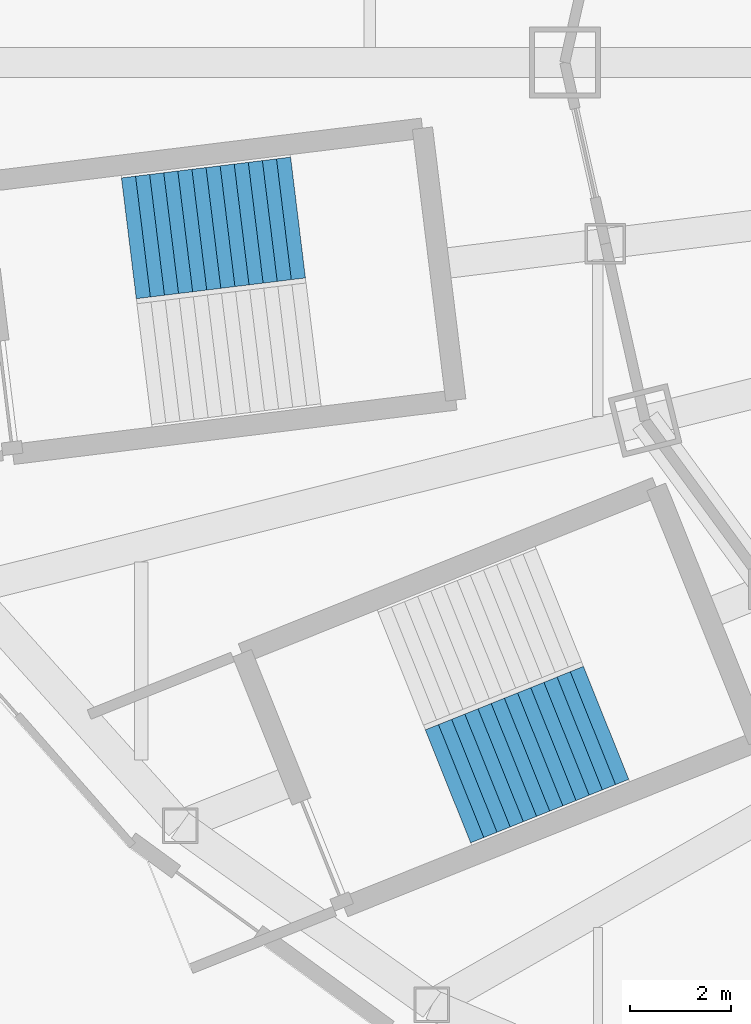
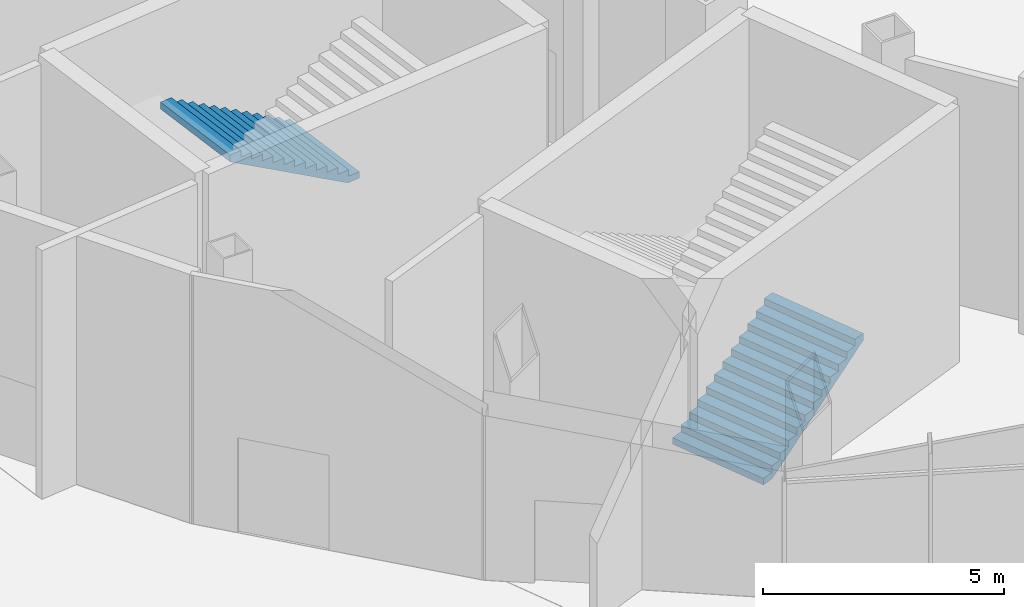
# One storey, part 24 of 47: 2 stair flights, 2 elements without a shape of their own.
"""IFC4 building model written with IfcOpenShell, lengths in metres."""

from ifc_helpers import new_model, si_unit, direction, frame, origin, place, context, subcontext, project, spatial, triangles, material, type_object, element, aggregate, save


model = new_model("IFC4")

# Units and contexts
model_context = context("Model", 3, precision=1e-05, world=origin(), true_north=direction((0.0, 1.0)))
body_context = subcontext(model_context, "Body", "Model", "MODEL_VIEW")
ifc_project = project(units=[si_unit("LENGTHUNIT", "METRE"), si_unit("AREAUNIT", "SQUARE_METRE"), si_unit("VOLUMEUNIT", "CUBIC_METRE"), si_unit("PLANEANGLEUNIT", "RADIAN"), si_unit("MASSUNIT", "GRAM", prefix="KILO")], contexts=[model_context])

# Site, building, storey
site_placement = place(None, origin())
site = spatial("IfcSite", under=ifc_project, at=site_placement, CompositionType="ELEMENT")
building_placement = place(site_placement, origin())
building = spatial("IfcBuilding", under=site, at=building_placement, Name="Lantaw Convention Tower", CompositionType="ELEMENT")
storey_placement = place(building_placement, origin())
storey = spatial("IfcBuildingStorey", under=building, at=storey_placement, Name="L00", CompositionType="ELEMENT", Elevation=0.0)

# Stair, stair flight
ifc_material = material(Name="Concrete C35/45", Category="concrete")
stair_type = type_object("IfcStairType", Name="Exit stair 2400 riser 166.67 in 3 flights", PredefinedType="HALF_TURN_STAIR", material=ifc_material)
stair_1_placement = place(storey_placement, origin())
stair_1 = element("IfcStair", 1, at=stair_1_placement, inside=storey, type_object=stair_type, Name="Podium exit stair P10 L00", PredefinedType="HALF_TURN_STAIR")
stair_flight_type = type_object("IfcStairFlightType", Name="Stair flight 2400 riser 166.67", PredefinedType="STRAIGHT", material=ifc_material)
stair_flight_1_placement = place(storey_placement, frame((-35.162109375, -3.057861328125, 2.166748046875), z_axis=(0.0, 0.0, 1.0), x_axis=(-0.992546151641, -0.121869343405, 0.0)))
stair_flight_1 = element("IfcStairFlight", 2, at=stair_flight_1_placement, type_object=stair_flight_type, Name="P10 flight 2", NumberOfRisers=13, NumberOfTreads=12, PredefinedType="STRAIGHT", RiserHeight=0.166666667, TreadLength=0.28, context=body_context, shape_type="Tessellation", body=[
    triangles([(0.0, 1.199951171875, 0.0), (0.0, 1.199951171875, 0.166666667), (0.28, 1.199951171875, 0.0), (0.28, 1.199951171875, 0.166666667), (0.28, 1.199951171875, 0.333333334), (0.29307345806906815, 1.199951171875, 0.0), (0.29307345806906815, 1.199951171875, 0.333333334), (0.56, 1.199951171875, 0.15888484670522912), (0.56, 1.199951171875, 0.333333334), (0.56, 1.199951171875, 0.500000001), (0.8400000000000001, 1.199951171875, 0.3255515137052291), (0.8400000000000001, 1.199951171875, 0.500000001), (0.8400000000000001, 1.199951171875, 0.666666668), (1.12, 1.199951171875, 0.49221818070522905), (1.12, 1.199951171875, 0.666666668), (1.12, 1.199951171875, 0.833333335), (1.4000000000000001, 1.199951171875, 0.658884847705229), (1.4000000000000001, 1.199951171875, 0.833333335), (1.4000000000000001, 1.199951171875, 1.000000002), (1.6800000000000002, 1.199951171875, 0.825551514705229), (1.6800000000000002, 1.199951171875, 1.000000002), (1.6800000000000002, 1.199951171875, 1.166666669), (1.9600000000000002, 1.199951171875, 0.992218181705229), (1.9600000000000002, 1.199951171875, 1.166666669), (1.9600000000000002, 1.199951171875, 1.333333336), (2.24, 1.199951171875, 1.158884848705229), (2.24, 1.199951171875, 1.333333336), (2.24, 1.199951171875, 1.5000000029999998), (2.5200000000000005, 1.199951171875, 1.325551515705229), (2.5200000000000005, 1.199951171875, 1.5000000029999998), (2.5200000000000005, 1.199951171875, 1.66666667), (2.8000000000000003, 1.199951171875, 1.492218182705229), (2.8000000000000003, 1.199951171875, 1.66666667), (2.8000000000000003, 1.199951171875, 1.833333337), (3.08, 1.199951171875, 1.6588848497052289), (3.08, 1.199951171875, 1.833333337), (3.08, 1.199951171875, 2.000000004), (3.3600000000000003, 1.199951171875, 1.825551516705229), (3.3600000000000003, 1.199951171875, 2.000000004), (0.0, -1.199951171875, 0.0), (0.0, -1.199951171875, 0.166666667), (0.28, -1.199951171875, 0.0), (0.28, -1.199951171875, 0.166666667), (0.28, -1.199951171875, 0.333333334), (0.29307345806906815, -1.199951171875, 0.0), (0.29307345806906815, -1.199951171875, 0.333333334), (0.56, -1.199951171875, 0.15888484670522912), (0.56, -1.199951171875, 0.333333334), (0.56, -1.199951171875, 0.500000001), (0.8400000000000001, -1.199951171875, 0.3255515137052291), (0.8400000000000001, -1.199951171875, 0.500000001), (0.8400000000000001, -1.199951171875, 0.666666668), (1.12, -1.199951171875, 0.49221818070522905), (1.12, -1.199951171875, 0.666666668), (1.12, -1.199951171875, 0.833333335), (1.4000000000000001, -1.199951171875, 0.658884847705229), (1.4000000000000001, -1.199951171875, 0.833333335), (1.4000000000000001, -1.199951171875, 1.000000002), (1.6800000000000002, -1.199951171875, 0.825551514705229), (1.6800000000000002, -1.199951171875, 1.000000002), (1.6800000000000002, -1.199951171875, 1.166666669), (1.9600000000000002, -1.199951171875, 0.992218181705229), (1.9600000000000002, -1.199951171875, 1.166666669), (1.9600000000000002, -1.199951171875, 1.333333336), (2.24, -1.199951171875, 1.158884848705229), (2.24, -1.199951171875, 1.333333336), (2.24, -1.199951171875, 1.5000000029999998), (2.5200000000000005, -1.199951171875, 1.325551515705229), (2.5200000000000005, -1.199951171875, 1.5000000029999998), (2.5200000000000005, -1.199951171875, 1.66666667), (2.8000000000000003, -1.199951171875, 1.492218182705229), (2.8000000000000003, -1.199951171875, 1.66666667), (2.8000000000000003, -1.199951171875, 1.833333337), (3.08, -1.199951171875, 1.6588848497052289), (3.08, -1.199951171875, 1.833333337), (3.08, -1.199951171875, 2.000000004), (3.3600000000000003, -1.199951171875, 1.825551516705229), (3.3600000000000003, -1.199951171875, 2.000000004), (0.0, 0.239990234375, 0.166666667), (0.0, 0.239990234375, 0.0), (0.0, 0.0, 0.166666667), (0.0, 0.0, 0.0), (0.0, -0.239990234375, 0.166666667), (0.0, -0.239990234375, 0.0), (0.28, 0.239990234375, 0.333333334), (0.28, 0.239990234375, 0.166666667), (0.28, 0.0, 0.333333334), (0.28, 0.0, 0.166666667), (0.28, -0.239990234375, 0.333333334), (0.28, -0.239990234375, 0.166666667), (0.56, 0.239990234375, 0.500000001), (0.56, 0.239990234375, 0.333333334), (0.56, 0.0, 0.500000001), (0.56, 0.0, 0.333333334), (0.56, -0.239990234375, 0.500000001), (0.56, -0.239990234375, 0.333333334), (0.8400000000000001, 0.239990234375, 0.666666668), (0.8400000000000001, 0.239990234375, 0.500000001), (0.8400000000000001, 0.0, 0.666666668), (0.8400000000000001, 0.0, 0.500000001), (0.8400000000000001, -0.239990234375, 0.666666668), (0.8400000000000001, -0.239990234375, 0.500000001), (1.12, 0.239990234375, 0.833333335), (1.12, 0.239990234375, 0.666666668), (1.12, 0.0, 0.833333335), (1.12, 0.0, 0.666666668), (1.12, -0.239990234375, 0.833333335), (1.12, -0.239990234375, 0.666666668), (1.4000000000000001, 0.239990234375, 1.000000002), (1.4000000000000001, 0.239990234375, 0.833333335), (1.4000000000000001, 0.0, 1.000000002), (1.4000000000000001, 0.0, 0.833333335), (1.4000000000000001, -0.239990234375, 1.000000002), (1.4000000000000001, -0.239990234375, 0.833333335), (1.6800000000000002, 0.239990234375, 1.166666669), (1.6800000000000002, 0.239990234375, 1.000000002), (1.6800000000000002, 0.0, 1.166666669), (1.6800000000000002, 0.0, 1.000000002), (1.6800000000000002, -0.239990234375, 1.166666669), (1.6800000000000002, -0.239990234375, 1.000000002), (1.9600000000000002, 0.239990234375, 1.333333336), (1.9600000000000002, 0.239990234375, 1.166666669), (1.9600000000000002, 0.0, 1.333333336), (1.9600000000000002, 0.0, 1.166666669), (1.9600000000000002, -0.239990234375, 1.333333336), (1.9600000000000002, -0.239990234375, 1.166666669), (2.24, 0.239990234375, 1.5000000029999998), (2.24, 0.239990234375, 1.333333336), (2.24, 0.0, 1.5000000029999998), (2.24, 0.0, 1.333333336), (2.24, -0.239990234375, 1.5000000029999998), (2.24, -0.239990234375, 1.333333336), (2.5200000000000005, 0.239990234375, 1.66666667), (2.5200000000000005, 0.239990234375, 1.5000000029999998), (2.5200000000000005, 0.0, 1.66666667), (2.5200000000000005, 0.0, 1.5000000029999998), (2.5200000000000005, -0.239990234375, 1.66666667), (2.5200000000000005, -0.239990234375, 1.5000000029999998), (2.8000000000000003, 0.239990234375, 1.833333337), (2.8000000000000003, 0.239990234375, 1.66666667), (2.8000000000000003, 0.0, 1.833333337), (2.8000000000000003, 0.0, 1.66666667), (2.8000000000000003, -0.239990234375, 1.833333337), (2.8000000000000003, -0.239990234375, 1.66666667), (3.08, 0.239990234375, 2.000000004), (3.08, 0.239990234375, 1.833333337), (3.08, 0.0, 2.000000004), (3.08, 0.0, 1.833333337), (3.08, -0.239990234375, 2.000000004), (3.08, -0.239990234375, 1.833333337), (0.29307345806906815, 0.239990234375, 0.333333334), (0.29307345806906815, 0.0, 0.333333334), (0.29307345806906815, -0.239990234375, 0.333333334), (3.3600000000000003, 0.239990234375, 2.000000004), (3.3600000000000003, 0.0, 2.000000004), (3.3600000000000003, -0.239990234375, 2.000000004), (3.3600000000000003, 0.239990234375, 1.8255515167052292), (3.3600000000000003, 0.0, 1.8255515167052292), (3.3600000000000003, -0.239990234375, 1.8255515167052292), (3.08, 0.239990234375, 1.6588848497052289), (3.08, 0.0, 1.6588848497052289), (3.08, -0.239990234375, 1.6588848497052289), (2.8000000000000003, 0.239990234375, 1.492218182705229), (2.8000000000000003, 0.0, 1.492218182705229), (2.8000000000000003, -0.239990234375, 1.492218182705229), (2.5200000000000005, 0.239990234375, 1.325551515705229), (2.5200000000000005, 0.0, 1.325551515705229), (2.5200000000000005, -0.239990234375, 1.325551515705229), (2.24, 0.239990234375, 1.158884848705229), (2.24, 0.0, 1.158884848705229), (2.24, -0.239990234375, 1.158884848705229), (1.9600000000000002, 0.239990234375, 0.992218181705229), (1.9600000000000002, 0.0, 0.992218181705229), (1.9600000000000002, -0.239990234375, 0.992218181705229), (1.6800000000000002, 0.239990234375, 0.825551514705229), (1.6800000000000002, 0.0, 0.825551514705229), (1.6800000000000002, -0.239990234375, 0.825551514705229), (1.4000000000000001, 0.239990234375, 0.658884847705229), (1.4000000000000001, 0.0, 0.658884847705229), (1.4000000000000001, -0.239990234375, 0.658884847705229), (1.12, 0.239990234375, 0.49221818070522905), (1.12, 0.0, 0.49221818070522905), (1.12, -0.239990234375, 0.49221818070522905), (0.8400000000000001, 0.239990234375, 0.3255515137052291), (0.8400000000000001, 0.0, 0.3255515137052291), (0.8400000000000001, -0.239990234375, 0.3255515137052291), (0.56, 0.239990234375, 0.15888484670522912), (0.56, 0.0, 0.15888484670522912), (0.56, -0.239990234375, 0.15888484670522912), (0.29307345806906815, 0.239990234375, 0.0), (0.29307345806906815, 0.0, 0.0), (0.29307345806906815, -0.239990234375, 0.0), (0.28, 0.239990234375, 0.0), (0.28, 0.0, 0.0), (0.28, -0.239990234375, 0.0)], [[1, 4, 3], [1, 2, 4], [3, 4, 6], [4, 7, 6], [4, 5, 7], [6, 9, 8], [6, 7, 9], [8, 9, 11], [9, 12, 11], [9, 10, 12], [11, 12, 14], [12, 15, 14], [12, 13, 15], [14, 15, 17], [15, 18, 17], [15, 16, 18], [17, 18, 20], [18, 21, 20], [18, 19, 21], [20, 21, 23], [21, 24, 23], [21, 22, 24], [23, 24, 26], [24, 27, 26], [24, 25, 27], [26, 27, 29], [27, 30, 29], [27, 28, 30], [29, 30, 32], [30, 33, 32], [30, 31, 33], [32, 33, 35], [33, 36, 35], [33, 34, 36], [35, 36, 38], [36, 39, 38], [36, 37, 39], [40, 42, 43], [40, 43, 41], [42, 45, 43], [43, 45, 46], [43, 46, 44], [45, 47, 48], [45, 48, 46], [47, 50, 48], [48, 50, 51], [48, 51, 49], [50, 53, 51], [51, 53, 54], [51, 54, 52], [53, 56, 54], [54, 56, 57], [54, 57, 55], [56, 59, 57], [57, 59, 60], [57, 60, 58], [59, 62, 60], [60, 62, 63], [60, 63, 61], [62, 65, 63], [63, 65, 66], [63, 66, 64], [65, 68, 66], [66, 68, 69], [66, 69, 67], [68, 71, 69], [69, 71, 72], [69, 72, 70], [71, 74, 72], [72, 74, 75], [72, 75, 73], [74, 77, 75], [75, 77, 78], [75, 78, 76], [1, 79, 2], [1, 80, 79], [80, 81, 79], [80, 82, 81], [82, 83, 81], [82, 84, 83], [84, 41, 83], [84, 40, 41], [4, 85, 5], [4, 86, 85], [86, 87, 85], [86, 88, 87], [88, 89, 87], [88, 90, 89], [90, 44, 89], [90, 43, 44], [9, 91, 10], [9, 92, 91], [92, 93, 91], [92, 94, 93], [94, 95, 93], [94, 96, 95], [96, 49, 95], [96, 48, 49], [12, 97, 13], [12, 98, 97], [98, 99, 97], [98, 100, 99], [100, 101, 99], [100, 102, 101], [102, 52, 101], [102, 51, 52], [15, 103, 16], [15, 104, 103], [104, 105, 103], [104, 106, 105], [106, 107, 105], [106, 108, 107], [108, 55, 107], [108, 54, 55], [18, 109, 19], [18, 110, 109], [110, 111, 109], [110, 112, 111], [112, 113, 111], [112, 114, 113], [114, 58, 113], [114, 57, 58], [21, 115, 22], [21, 116, 115], [116, 117, 115], [116, 118, 117], [118, 119, 117], [118, 120, 119], [120, 61, 119], [120, 60, 61], [24, 121, 25], [24, 122, 121], [122, 123, 121], [122, 124, 123], [124, 125, 123], [124, 126, 125], [126, 64, 125], [126, 63, 64], [27, 127, 28], [27, 128, 127], [128, 129, 127], [128, 130, 129], [130, 131, 129], [130, 132, 131], [132, 67, 131], [132, 66, 67], [30, 133, 31], [30, 134, 133], [134, 135, 133], [134, 136, 135], [136, 137, 135], [136, 138, 137], [138, 70, 137], [138, 69, 70], [33, 139, 34], [33, 140, 139], [140, 141, 139], [140, 142, 141], [142, 143, 141], [142, 144, 143], [144, 73, 143], [144, 72, 73], [36, 145, 37], [36, 146, 145], [146, 147, 145], [146, 148, 147], [148, 149, 147], [148, 150, 149], [150, 76, 149], [150, 75, 76], [2, 86, 4], [2, 79, 86], [79, 88, 86], [79, 81, 88], [81, 90, 88], [81, 83, 90], [83, 43, 90], [83, 41, 43], [5, 151, 7], [5, 85, 151], [85, 152, 151], [85, 87, 152], [87, 153, 152], [87, 89, 153], [89, 46, 153], [89, 44, 46], [7, 92, 9], [7, 151, 92], [151, 94, 92], [151, 152, 94], [152, 96, 94], [152, 153, 96], [153, 48, 96], [153, 46, 48], [10, 98, 12], [10, 91, 98], [91, 100, 98], [91, 93, 100], [93, 102, 100], [93, 95, 102], [95, 51, 102], [95, 49, 51], [13, 104, 15], [13, 97, 104], [97, 106, 104], [97, 99, 106], [99, 108, 106], [99, 101, 108], [101, 54, 108], [101, 52, 54], [16, 110, 18], [16, 103, 110], [103, 112, 110], [103, 105, 112], [105, 114, 112], [105, 107, 114], [107, 57, 114], [107, 55, 57], [19, 116, 21], [19, 109, 116], [109, 118, 116], [109, 111, 118], [111, 120, 118], [111, 113, 120], [113, 60, 120], [113, 58, 60], [22, 122, 24], [22, 115, 122], [115, 124, 122], [115, 117, 124], [117, 126, 124], [117, 119, 126], [119, 63, 126], [119, 61, 63], [25, 128, 27], [25, 121, 128], [121, 130, 128], [121, 123, 130], [123, 132, 130], [123, 125, 132], [125, 66, 132], [125, 64, 66], [28, 134, 30], [28, 127, 134], [127, 136, 134], [127, 129, 136], [129, 138, 136], [129, 131, 138], [131, 69, 138], [131, 67, 69], [31, 140, 33], [31, 133, 140], [133, 142, 140], [133, 135, 142], [135, 144, 142], [135, 137, 144], [137, 72, 144], [137, 70, 72], [34, 146, 36], [34, 139, 146], [139, 148, 146], [139, 141, 148], [141, 150, 148], [141, 143, 150], [143, 75, 150], [143, 73, 75], [37, 154, 39], [37, 145, 154], [145, 155, 154], [145, 147, 155], [147, 156, 155], [147, 149, 156], [149, 78, 156], [149, 76, 78], [39, 157, 38], [39, 154, 157], [154, 158, 157], [154, 155, 158], [155, 159, 158], [155, 156, 159], [156, 77, 159], [156, 78, 77], [38, 160, 35], [38, 157, 160], [157, 161, 160], [157, 158, 161], [158, 162, 161], [158, 159, 162], [159, 74, 162], [159, 77, 74], [35, 163, 32], [35, 160, 163], [160, 164, 163], [160, 161, 164], [161, 165, 164], [161, 162, 165], [162, 71, 165], [162, 74, 71], [32, 166, 29], [32, 163, 166], [163, 167, 166], [163, 164, 167], [164, 168, 167], [164, 165, 168], [165, 68, 168], [165, 71, 68], [29, 169, 26], [29, 166, 169], [166, 170, 169], [166, 167, 170], [167, 171, 170], [167, 168, 171], [168, 65, 171], [168, 68, 65], [26, 172, 23], [26, 169, 172], [169, 173, 172], [169, 170, 173], [170, 174, 173], [170, 171, 174], [171, 62, 174], [171, 65, 62], [23, 175, 20], [23, 172, 175], [172, 176, 175], [172, 173, 176], [173, 177, 176], [173, 174, 177], [174, 59, 177], [174, 62, 59], [20, 178, 17], [20, 175, 178], [175, 179, 178], [175, 176, 179], [176, 180, 179], [176, 177, 180], [177, 56, 180], [177, 59, 56], [17, 181, 14], [17, 178, 181], [178, 182, 181], [178, 179, 182], [179, 183, 182], [179, 180, 183], [180, 53, 183], [180, 56, 53], [14, 184, 11], [14, 181, 184], [181, 185, 184], [181, 182, 185], [182, 186, 185], [182, 183, 186], [183, 50, 186], [183, 53, 50], [11, 187, 8], [11, 184, 187], [184, 188, 187], [184, 185, 188], [185, 189, 188], [185, 186, 189], [186, 47, 189], [186, 50, 47], [8, 190, 6], [8, 187, 190], [187, 191, 190], [187, 188, 191], [188, 192, 191], [188, 189, 192], [189, 45, 192], [189, 47, 45], [6, 193, 3], [6, 190, 193], [190, 194, 193], [190, 191, 194], [191, 195, 194], [191, 192, 195], [192, 42, 195], [192, 45, 42], [3, 80, 1], [3, 193, 80], [193, 82, 80], [193, 194, 82], [194, 84, 82], [194, 195, 84], [195, 40, 84], [195, 42, 40]], closed=True),
])
aggregate(stair_1, [stair_flight_1])

stair_2_placement = place(storey_placement, origin())
stair_2 = element("IfcStair", 3, at=stair_2_placement, inside=storey, type_object=stair_type, Name="Podium exit stair P11 L00", PredefinedType="HALF_TURN_STAIR")
stair_flight_2_placement = place(storey_placement, frame((-32.20458984375, -14.275146484375, 0.0), z_axis=(0.0, 0.0, 1.0), x_axis=(0.928015168305, 0.372542410198, 0.0)))
stair_flight_2 = element("IfcStairFlight", 4, at=stair_flight_2_placement, type_object=stair_flight_type, Name="P11 flight 1", NumberOfRisers=13, NumberOfTreads=12, PredefinedType="STRAIGHT", RiserHeight=0.166666667, TreadLength=0.28, context=body_context, shape_type="Tessellation", body=[
    triangles([(0.0, 1.199951171875, 0.0), (0.0, 1.199951171875, 0.166666667), (0.28, 1.199951171875, 0.0), (0.28, 1.199951171875, 0.166666667), (0.28, 1.199951171875, 0.333333334), (0.29307345806906815, 1.199951171875, 0.0), (0.29307345806906815, 1.199951171875, 0.333333334), (0.56, 1.199951171875, 0.15888484670522912), (0.56, 1.199951171875, 0.333333334), (0.56, 1.199951171875, 0.500000001), (0.8400000000000001, 1.199951171875, 0.3255515137052291), (0.8400000000000001, 1.199951171875, 0.500000001), (0.8400000000000001, 1.199951171875, 0.666666668), (1.12, 1.199951171875, 0.49221818070522905), (1.12, 1.199951171875, 0.666666668), (1.12, 1.199951171875, 0.833333335), (1.4000000000000001, 1.199951171875, 0.658884847705229), (1.4000000000000001, 1.199951171875, 0.833333335), (1.4000000000000001, 1.199951171875, 1.000000002), (1.6800000000000002, 1.199951171875, 0.825551514705229), (1.6800000000000002, 1.199951171875, 1.000000002), (1.6800000000000002, 1.199951171875, 1.166666669), (1.9600000000000002, 1.199951171875, 0.992218181705229), (1.9600000000000002, 1.199951171875, 1.166666669), (1.9600000000000002, 1.199951171875, 1.333333336), (2.24, 1.199951171875, 1.158884848705229), (2.24, 1.199951171875, 1.333333336), (2.24, 1.199951171875, 1.5000000029999998), (2.5200000000000005, 1.199951171875, 1.325551515705229), (2.5200000000000005, 1.199951171875, 1.5000000029999998), (2.5200000000000005, 1.199951171875, 1.66666667), (2.8000000000000003, 1.199951171875, 1.492218182705229), (2.8000000000000003, 1.199951171875, 1.66666667), (2.8000000000000003, 1.199951171875, 1.833333337), (3.08, 1.199951171875, 1.6588848497052289), (3.08, 1.199951171875, 1.833333337), (3.08, 1.199951171875, 2.000000004), (3.3600000000000003, 1.199951171875, 1.825551516705229), (3.3600000000000003, 1.199951171875, 2.000000004), (0.0, -1.199951171875, 0.0), (0.0, -1.199951171875, 0.166666667), (0.28, -1.199951171875, 0.0), (0.28, -1.199951171875, 0.166666667), (0.28, -1.199951171875, 0.333333334), (0.29307345806906815, -1.199951171875, 0.0), (0.29307345806906815, -1.199951171875, 0.333333334), (0.56, -1.199951171875, 0.15888484670522912), (0.56, -1.199951171875, 0.333333334), (0.56, -1.199951171875, 0.500000001), (0.8400000000000001, -1.199951171875, 0.3255515137052291), (0.8400000000000001, -1.199951171875, 0.500000001), (0.8400000000000001, -1.199951171875, 0.666666668), (1.12, -1.199951171875, 0.49221818070522905), (1.12, -1.199951171875, 0.666666668), (1.12, -1.199951171875, 0.833333335), (1.4000000000000001, -1.199951171875, 0.658884847705229), (1.4000000000000001, -1.199951171875, 0.833333335), (1.4000000000000001, -1.199951171875, 1.000000002), (1.6800000000000002, -1.199951171875, 0.825551514705229), (1.6800000000000002, -1.199951171875, 1.000000002), (1.6800000000000002, -1.199951171875, 1.166666669), (1.9600000000000002, -1.199951171875, 0.992218181705229), (1.9600000000000002, -1.199951171875, 1.166666669), (1.9600000000000002, -1.199951171875, 1.333333336), (2.24, -1.199951171875, 1.158884848705229), (2.24, -1.199951171875, 1.333333336), (2.24, -1.199951171875, 1.5000000029999998), (2.5200000000000005, -1.199951171875, 1.325551515705229), (2.5200000000000005, -1.199951171875, 1.5000000029999998), (2.5200000000000005, -1.199951171875, 1.66666667), (2.8000000000000003, -1.199951171875, 1.492218182705229), (2.8000000000000003, -1.199951171875, 1.66666667), (2.8000000000000003, -1.199951171875, 1.833333337), (3.08, -1.199951171875, 1.6588848497052289), (3.08, -1.199951171875, 1.833333337), (3.08, -1.199951171875, 2.000000004), (3.3600000000000003, -1.199951171875, 1.825551516705229), (3.3600000000000003, -1.199951171875, 2.000000004), (0.0, 0.239990234375, 0.166666667), (0.0, 0.239990234375, 0.0), (0.0, 0.0, 0.166666667), (0.0, 0.0, 0.0), (0.0, -0.239990234375, 0.166666667), (0.0, -0.239990234375, 0.0), (0.28, 0.239990234375, 0.333333334), (0.28, 0.239990234375, 0.166666667), (0.28, 0.0, 0.333333334), (0.28, 0.0, 0.166666667), (0.28, -0.239990234375, 0.333333334), (0.28, -0.239990234375, 0.166666667), (0.56, 0.239990234375, 0.500000001), (0.56, 0.239990234375, 0.333333334), (0.56, 0.0, 0.500000001), (0.56, 0.0, 0.333333334), (0.56, -0.239990234375, 0.500000001), (0.56, -0.239990234375, 0.333333334), (0.8400000000000001, 0.239990234375, 0.666666668), (0.8400000000000001, 0.239990234375, 0.500000001), (0.8400000000000001, 0.0, 0.666666668), (0.8400000000000001, 0.0, 0.500000001), (0.8400000000000001, -0.239990234375, 0.666666668), (0.8400000000000001, -0.239990234375, 0.500000001), (1.12, 0.239990234375, 0.833333335), (1.12, 0.239990234375, 0.666666668), (1.12, 0.0, 0.833333335), (1.12, 0.0, 0.666666668), (1.12, -0.239990234375, 0.833333335), (1.12, -0.239990234375, 0.666666668), (1.4000000000000001, 0.239990234375, 1.000000002), (1.4000000000000001, 0.239990234375, 0.833333335), (1.4000000000000001, 0.0, 1.000000002), (1.4000000000000001, 0.0, 0.833333335), (1.4000000000000001, -0.239990234375, 1.000000002), (1.4000000000000001, -0.239990234375, 0.833333335), (1.6800000000000002, 0.239990234375, 1.166666669), (1.6800000000000002, 0.239990234375, 1.000000002), (1.6800000000000002, 0.0, 1.166666669), (1.6800000000000002, 0.0, 1.000000002), (1.6800000000000002, -0.239990234375, 1.166666669), (1.6800000000000002, -0.239990234375, 1.000000002), (1.9600000000000002, 0.239990234375, 1.333333336), (1.9600000000000002, 0.239990234375, 1.166666669), (1.9600000000000002, 0.0, 1.333333336), (1.9600000000000002, 0.0, 1.166666669), (1.9600000000000002, -0.239990234375, 1.333333336), (1.9600000000000002, -0.239990234375, 1.166666669), (2.24, 0.239990234375, 1.5000000029999998), (2.24, 0.239990234375, 1.333333336), (2.24, 0.0, 1.5000000029999998), (2.24, 0.0, 1.333333336), (2.24, -0.239990234375, 1.5000000029999998), (2.24, -0.239990234375, 1.333333336), (2.5200000000000005, 0.239990234375, 1.66666667), (2.5200000000000005, 0.239990234375, 1.5000000029999998), (2.5200000000000005, 0.0, 1.66666667), (2.5200000000000005, 0.0, 1.5000000029999998), (2.5200000000000005, -0.239990234375, 1.66666667), (2.5200000000000005, -0.239990234375, 1.5000000029999998), (2.8000000000000003, 0.239990234375, 1.833333337), (2.8000000000000003, 0.239990234375, 1.66666667), (2.8000000000000003, 0.0, 1.833333337), (2.8000000000000003, 0.0, 1.66666667), (2.8000000000000003, -0.239990234375, 1.833333337), (2.8000000000000003, -0.239990234375, 1.66666667), (3.08, 0.239990234375, 2.000000004), (3.08, 0.239990234375, 1.833333337), (3.08, 0.0, 2.000000004), (3.08, 0.0, 1.833333337), (3.08, -0.239990234375, 2.000000004), (3.08, -0.239990234375, 1.833333337), (0.29307345806906815, 0.239990234375, 0.333333334), (0.29307345806906815, 0.0, 0.333333334), (0.29307345806906815, -0.239990234375, 0.333333334), (3.3600000000000003, 0.239990234375, 2.000000004), (3.3600000000000003, 0.0, 2.000000004), (3.3600000000000003, -0.239990234375, 2.000000004), (3.3600000000000003, 0.239990234375, 1.8255515167052292), (3.3600000000000003, 0.0, 1.8255515167052292), (3.3600000000000003, -0.239990234375, 1.8255515167052292), (3.08, 0.239990234375, 1.6588848497052289), (3.08, 0.0, 1.6588848497052289), (3.08, -0.239990234375, 1.6588848497052289), (2.8000000000000003, 0.239990234375, 1.492218182705229), (2.8000000000000003, 0.0, 1.492218182705229), (2.8000000000000003, -0.239990234375, 1.492218182705229), (2.5200000000000005, 0.239990234375, 1.325551515705229), (2.5200000000000005, 0.0, 1.325551515705229), (2.5200000000000005, -0.239990234375, 1.325551515705229), (2.24, 0.239990234375, 1.158884848705229), (2.24, 0.0, 1.158884848705229), (2.24, -0.239990234375, 1.158884848705229), (1.9600000000000002, 0.239990234375, 0.992218181705229), (1.9600000000000002, 0.0, 0.992218181705229), (1.9600000000000002, -0.239990234375, 0.992218181705229), (1.6800000000000002, 0.239990234375, 0.825551514705229), (1.6800000000000002, 0.0, 0.825551514705229), (1.6800000000000002, -0.239990234375, 0.825551514705229), (1.4000000000000001, 0.239990234375, 0.658884847705229), (1.4000000000000001, 0.0, 0.658884847705229), (1.4000000000000001, -0.239990234375, 0.658884847705229), (1.12, 0.239990234375, 0.49221818070522905), (1.12, 0.0, 0.49221818070522905), (1.12, -0.239990234375, 0.49221818070522905), (0.8400000000000001, 0.239990234375, 0.3255515137052291), (0.8400000000000001, 0.0, 0.3255515137052291), (0.8400000000000001, -0.239990234375, 0.3255515137052291), (0.56, 0.239990234375, 0.15888484670522912), (0.56, 0.0, 0.15888484670522912), (0.56, -0.239990234375, 0.15888484670522912), (0.29307345806906815, 0.239990234375, 0.0), (0.29307345806906815, 0.0, 0.0), (0.29307345806906815, -0.239990234375, 0.0), (0.28, 0.239990234375, 0.0), (0.28, 0.0, 0.0), (0.28, -0.239990234375, 0.0)], [[1, 4, 3], [1, 2, 4], [3, 4, 6], [4, 7, 6], [4, 5, 7], [6, 9, 8], [6, 7, 9], [8, 9, 11], [9, 12, 11], [9, 10, 12], [11, 12, 14], [12, 15, 14], [12, 13, 15], [14, 15, 17], [15, 18, 17], [15, 16, 18], [17, 18, 20], [18, 21, 20], [18, 19, 21], [20, 21, 23], [21, 24, 23], [21, 22, 24], [23, 24, 26], [24, 27, 26], [24, 25, 27], [26, 27, 29], [27, 30, 29], [27, 28, 30], [29, 30, 32], [30, 33, 32], [30, 31, 33], [32, 33, 35], [33, 36, 35], [33, 34, 36], [35, 36, 38], [36, 39, 38], [36, 37, 39], [40, 42, 43], [40, 43, 41], [42, 45, 43], [43, 45, 46], [43, 46, 44], [45, 47, 48], [45, 48, 46], [47, 50, 48], [48, 50, 51], [48, 51, 49], [50, 53, 51], [51, 53, 54], [51, 54, 52], [53, 56, 54], [54, 56, 57], [54, 57, 55], [56, 59, 57], [57, 59, 60], [57, 60, 58], [59, 62, 60], [60, 62, 63], [60, 63, 61], [62, 65, 63], [63, 65, 66], [63, 66, 64], [65, 68, 66], [66, 68, 69], [66, 69, 67], [68, 71, 69], [69, 71, 72], [69, 72, 70], [71, 74, 72], [72, 74, 75], [72, 75, 73], [74, 77, 75], [75, 77, 78], [75, 78, 76], [1, 79, 2], [1, 80, 79], [80, 81, 79], [80, 82, 81], [82, 83, 81], [82, 84, 83], [84, 41, 83], [84, 40, 41], [4, 85, 5], [4, 86, 85], [86, 87, 85], [86, 88, 87], [88, 89, 87], [88, 90, 89], [90, 44, 89], [90, 43, 44], [9, 91, 10], [9, 92, 91], [92, 93, 91], [92, 94, 93], [94, 95, 93], [94, 96, 95], [96, 49, 95], [96, 48, 49], [12, 97, 13], [12, 98, 97], [98, 99, 97], [98, 100, 99], [100, 101, 99], [100, 102, 101], [102, 52, 101], [102, 51, 52], [15, 103, 16], [15, 104, 103], [104, 105, 103], [104, 106, 105], [106, 107, 105], [106, 108, 107], [108, 55, 107], [108, 54, 55], [18, 109, 19], [18, 110, 109], [110, 111, 109], [110, 112, 111], [112, 113, 111], [112, 114, 113], [114, 58, 113], [114, 57, 58], [21, 115, 22], [21, 116, 115], [116, 117, 115], [116, 118, 117], [118, 119, 117], [118, 120, 119], [120, 61, 119], [120, 60, 61], [24, 121, 25], [24, 122, 121], [122, 123, 121], [122, 124, 123], [124, 125, 123], [124, 126, 125], [126, 64, 125], [126, 63, 64], [27, 127, 28], [27, 128, 127], [128, 129, 127], [128, 130, 129], [130, 131, 129], [130, 132, 131], [132, 67, 131], [132, 66, 67], [30, 133, 31], [30, 134, 133], [134, 135, 133], [134, 136, 135], [136, 137, 135], [136, 138, 137], [138, 70, 137], [138, 69, 70], [33, 139, 34], [33, 140, 139], [140, 141, 139], [140, 142, 141], [142, 143, 141], [142, 144, 143], [144, 73, 143], [144, 72, 73], [36, 145, 37], [36, 146, 145], [146, 147, 145], [146, 148, 147], [148, 149, 147], [148, 150, 149], [150, 76, 149], [150, 75, 76], [2, 86, 4], [2, 79, 86], [79, 88, 86], [79, 81, 88], [81, 90, 88], [81, 83, 90], [83, 43, 90], [83, 41, 43], [5, 151, 7], [5, 85, 151], [85, 152, 151], [85, 87, 152], [87, 153, 152], [87, 89, 153], [89, 46, 153], [89, 44, 46], [7, 92, 9], [7, 151, 92], [151, 94, 92], [151, 152, 94], [152, 96, 94], [152, 153, 96], [153, 48, 96], [153, 46, 48], [10, 98, 12], [10, 91, 98], [91, 100, 98], [91, 93, 100], [93, 102, 100], [93, 95, 102], [95, 51, 102], [95, 49, 51], [13, 104, 15], [13, 97, 104], [97, 106, 104], [97, 99, 106], [99, 108, 106], [99, 101, 108], [101, 54, 108], [101, 52, 54], [16, 110, 18], [16, 103, 110], [103, 112, 110], [103, 105, 112], [105, 114, 112], [105, 107, 114], [107, 57, 114], [107, 55, 57], [19, 116, 21], [19, 109, 116], [109, 118, 116], [109, 111, 118], [111, 120, 118], [111, 113, 120], [113, 60, 120], [113, 58, 60], [22, 122, 24], [22, 115, 122], [115, 124, 122], [115, 117, 124], [117, 126, 124], [117, 119, 126], [119, 63, 126], [119, 61, 63], [25, 128, 27], [25, 121, 128], [121, 130, 128], [121, 123, 130], [123, 132, 130], [123, 125, 132], [125, 66, 132], [125, 64, 66], [28, 134, 30], [28, 127, 134], [127, 136, 134], [127, 129, 136], [129, 138, 136], [129, 131, 138], [131, 69, 138], [131, 67, 69], [31, 140, 33], [31, 133, 140], [133, 142, 140], [133, 135, 142], [135, 144, 142], [135, 137, 144], [137, 72, 144], [137, 70, 72], [34, 146, 36], [34, 139, 146], [139, 148, 146], [139, 141, 148], [141, 150, 148], [141, 143, 150], [143, 75, 150], [143, 73, 75], [37, 154, 39], [37, 145, 154], [145, 155, 154], [145, 147, 155], [147, 156, 155], [147, 149, 156], [149, 78, 156], [149, 76, 78], [39, 157, 38], [39, 154, 157], [154, 158, 157], [154, 155, 158], [155, 159, 158], [155, 156, 159], [156, 77, 159], [156, 78, 77], [38, 160, 35], [38, 157, 160], [157, 161, 160], [157, 158, 161], [158, 162, 161], [158, 159, 162], [159, 74, 162], [159, 77, 74], [35, 163, 32], [35, 160, 163], [160, 164, 163], [160, 161, 164], [161, 165, 164], [161, 162, 165], [162, 71, 165], [162, 74, 71], [32, 166, 29], [32, 163, 166], [163, 167, 166], [163, 164, 167], [164, 168, 167], [164, 165, 168], [165, 68, 168], [165, 71, 68], [29, 169, 26], [29, 166, 169], [166, 170, 169], [166, 167, 170], [167, 171, 170], [167, 168, 171], [168, 65, 171], [168, 68, 65], [26, 172, 23], [26, 169, 172], [169, 173, 172], [169, 170, 173], [170, 174, 173], [170, 171, 174], [171, 62, 174], [171, 65, 62], [23, 175, 20], [23, 172, 175], [172, 176, 175], [172, 173, 176], [173, 177, 176], [173, 174, 177], [174, 59, 177], [174, 62, 59], [20, 178, 17], [20, 175, 178], [175, 179, 178], [175, 176, 179], [176, 180, 179], [176, 177, 180], [177, 56, 180], [177, 59, 56], [17, 181, 14], [17, 178, 181], [178, 182, 181], [178, 179, 182], [179, 183, 182], [179, 180, 183], [180, 53, 183], [180, 56, 53], [14, 184, 11], [14, 181, 184], [181, 185, 184], [181, 182, 185], [182, 186, 185], [182, 183, 186], [183, 50, 186], [183, 53, 50], [11, 187, 8], [11, 184, 187], [184, 188, 187], [184, 185, 188], [185, 189, 188], [185, 186, 189], [186, 47, 189], [186, 50, 47], [8, 190, 6], [8, 187, 190], [187, 191, 190], [187, 188, 191], [188, 192, 191], [188, 189, 192], [189, 45, 192], [189, 47, 45], [6, 193, 3], [6, 190, 193], [190, 194, 193], [190, 191, 194], [191, 195, 194], [191, 192, 195], [192, 42, 195], [192, 45, 42], [3, 80, 1], [3, 193, 80], [193, 82, 80], [193, 194, 82], [194, 84, 82], [194, 195, 84], [195, 40, 84], [195, 42, 40]], closed=True),
])
aggregate(stair_2, [stair_flight_2])

save(model, "model.ifc")
